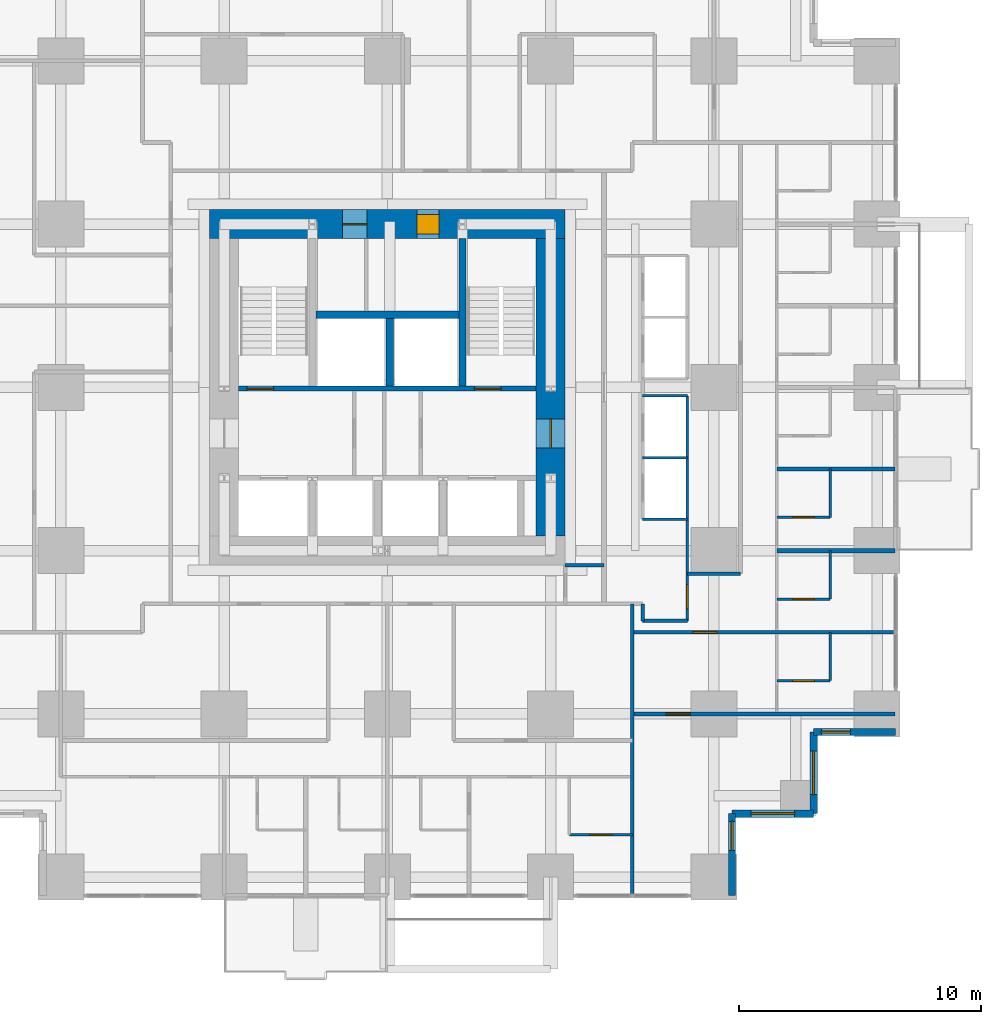
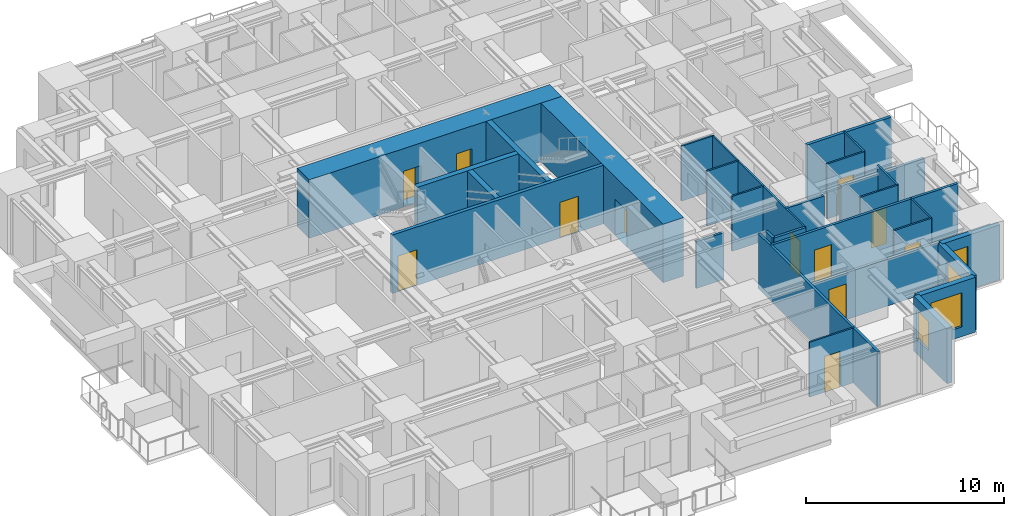
# One storey, part 10 of 15: 30 walls, 12 doors, 4 windows, 16 openings.
"""IFC4 building model written with IfcOpenShell, lengths in metres."""

from ifc_helpers import new_model, si_unit, direction, frame, frame_2d, origin, place, context, subcontext, project, spatial, rectangle, extrude, material, layer, layer_set, type_object, element, fill, save


model = new_model("IFC4")

# Units and contexts
model_context = context("Model", 3, precision=1e-05, world=origin(), true_north=direction((0.0, 1.0)))
body_context = subcontext(model_context, "Body", "Model", "MODEL_VIEW")
ifc_project = project(units=[si_unit("LENGTHUNIT", "METRE"), si_unit("AREAUNIT", "SQUARE_METRE"), si_unit("VOLUMEUNIT", "CUBIC_METRE"), si_unit("PLANEANGLEUNIT", "RADIAN"), si_unit("MASSUNIT", "GRAM", prefix="KILO")], contexts=[model_context])

# Site, building, storey
site_placement = place(None, origin())
site = spatial("IfcSite", under=ifc_project, at=site_placement, CompositionType="ELEMENT")
building_placement = place(site_placement, origin())
building = spatial("IfcBuilding", under=site, at=building_placement, Name="Nyansa Garden Tower", CompositionType="ELEMENT")
storey_placement = place(building_placement, frame((0.0, 0.0, 32.39990234375)))
storey = spatial("IfcBuildingStorey", under=building, at=storey_placement, Name="L08", CompositionType="ELEMENT", Elevation=32.39990234375)

# Walls
ifc_material_1 = material(Name="Dense blockwork, plastered both sides, 55 dB", Category="masonry")
ifc_layer_1 = layer(ifc_material_1, 0.175048828125)
ifc_layer_set_1 = layer_set([ifc_layer_1], Name="Acoustic party wall PW175")
wall_type_1 = type_object("IfcWallType", Name="Acoustic party wall PW175", PredefinedType="PARTITIONING", material=ifc_layer_set_1)
wall_1_placement = place(storey_placement, frame((36.35009765625, 13.5, 0.0), z_axis=(0.0, 0.0, 1.0), x_axis=(1.0, 0.0, 0.0)))
element("IfcWall", 1, at=wall_1_placement, inside=storey, type_object=wall_type_1, Name="Party wall", PredefinedType="PARTITIONING", context=body_context, shape_type="SweptSolid", body=[
    extrude(rectangle(XDim=4.8837890625, YDim=0.175048828125, at=frame_2d((2.44189453125, 0.0))), origin(), (0.0, 0.0, 1.0), 2.877197265625),
])
wall_2_placement = place(storey_placement, frame((36.35009765625, 16.875, 0.0), z_axis=(0.0, 0.0, 1.0), x_axis=(1.0, 0.0, 0.0)))
element("IfcWall", 2, at=wall_2_placement, inside=storey, type_object=wall_type_1, Name="Party wall", PredefinedType="PARTITIONING", context=body_context, shape_type="SweptSolid", body=[
    extrude(rectangle(XDim=4.8837890625, YDim=0.175048828125, at=frame_2d((2.44189453125, 0.0))), origin(), (0.0, 0.0, 1.0), 3.375),
])

# Wall, openings, doors
ifc_material_2 = material(Name="Concrete C70/85", Category="concrete")
ifc_layer_2 = layer(ifc_material_2, 0.199951171875)
ifc_layer_set_2 = layer_set([ifc_layer_2], Name="Core inner wall CI200")
wall_type_2 = type_object("IfcWallType", Name="Core inner wall CI200", PredefinedType="SHEAR", material=ifc_layer_set_2)
wall_3_placement = place(storey_placement, frame((14.10009765625, 20.199951171875, 0.0), z_axis=(0.0, 0.0, 1.0), x_axis=(1.0, 0.0, 0.0)))
wall_3 = element("IfcWall", 3, at=wall_3_placement, inside=storey, type_object=wall_type_2, Name="Core inner wall L08", PredefinedType="SHEAR", context=body_context, shape_type="SweptSolid", body=[
    extrude(rectangle(XDim=12.2998046875, YDim=0.199951171875, at=frame_2d((6.14990234375, 0.0))), origin(), (0.0, 0.0, 1.0), 3.60009765625),
])
opening_1_placement = place(wall_3_placement, frame((0.35009765625, 0.0, 0.0)))
opening_1 = element("IfcOpeningElement", 4, at=opening_1_placement, cuts=wall_3, Name="Opening D05", PredefinedType="OPENING", context=body_context, shape_type="SweptSolid", body=[
    extrude(rectangle(XDim=1.10009765625, YDim=2.199951171875, at=frame_2d((0.550048828125, 1.10009765625))), frame((0.0, 0.10986328125, 0.0), z_axis=(0.0, -1.0, 0.0), x_axis=(1.0, 0.0, 0.0)), (0.0, 0.0, 1.0), 0.219970703125),
])
opening_2_placement = place(wall_3_placement, frame((9.75, 0.0, 0.0)))
opening_2 = element("IfcOpeningElement", 5, at=opening_2_placement, cuts=wall_3, Name="Opening D05", PredefinedType="OPENING", context=body_context, shape_type="SweptSolid", body=[
    extrude(rectangle(XDim=1.10009765625, YDim=2.199951171875, at=frame_2d((0.550048828125, 1.10009765625))), frame((0.0, 0.10986328125, 0.0), z_axis=(0.0, -1.0, 0.0), x_axis=(1.0, 0.0, 0.0)), (0.0, 0.0, 1.0), 0.219970703125),
])
ifc_material_3 = material(Name="Steel door, 120 minute fire resisting", Category="steel")
door_type_1 = type_object("IfcDoorType", Name="Stair door D05 1100x2200", OperationType="SINGLE_SWING_LEFT", PredefinedType="DOOR", material=ifc_material_3)
door_1_placement = place(opening_1_placement, origin())
door_1 = element("IfcDoor", 6, at=door_1_placement, inside=storey, type_object=door_type_1, Name="Stair S1 door", OperationType="SINGLE_SWING_LEFT", OverallHeight=2.199951171875, OverallWidth=1.10009765625, PredefinedType="DOOR", context=body_context, shape_type="SweptSolid", body=[
    extrude(rectangle(XDim=1.10009765625, YDim=2.199951171875, at=frame_2d((0.550048828125, 1.10009765625))), frame((0.0, 0.02490234375, 0.0), z_axis=(0.0, -1.0, 0.0), x_axis=(1.0, 0.0, 0.0)), (0.0, 0.0, 1.0), 0.050048828125),
])
fill(opening_1, door_1)
door_2_placement = place(opening_2_placement, origin())
door_2 = element("IfcDoor", 7, at=door_2_placement, inside=storey, type_object=door_type_1, Name="Stair S2 door", OperationType="SINGLE_SWING_LEFT", OverallHeight=2.199951171875, OverallWidth=1.10009765625, PredefinedType="DOOR", context=body_context, shape_type="SweptSolid", body=[
    extrude(rectangle(XDim=1.10009765625, YDim=2.199951171875, at=frame_2d((0.550048828125, 1.10009765625))), frame((0.0, 0.02490234375, 0.0), z_axis=(0.0, -1.0, 0.0), x_axis=(1.0, 0.0, 0.0)), (0.0, 0.0, 1.0), 0.050048828125),
])
fill(opening_2, door_2)

# Walls
ifc_material_4 = material(Name="Concrete C70/85", Category="concrete")
ifc_layer_3 = layer(ifc_material_4, 0.300048828125)
ifc_layer_set_3 = layer_set([ifc_layer_3], Name="Core inner wall CI300")
wall_type_3 = type_object("IfcWallType", Name="Core inner wall CI300", PredefinedType="SHEAR", material=ifc_layer_set_3)
wall_4_placement = place(storey_placement, frame((23.35009765625, 20.300048828125, 0.0), z_axis=(0.0, 0.0, 1.0), x_axis=(0.0, 1.0, 0.0)))
element("IfcWall", 8, at=wall_4_placement, inside=storey, type_object=wall_type_3, Name="Core inner wall L08", PredefinedType="SHEAR", context=body_context, shape_type="SweptSolid", body=[
    extrude(rectangle(XDim=6.099853515625, YDim=0.300048828125, at=frame_2d((3.0498046875, 0.0))), origin(), (0.0, 0.0, 1.0), 3.60009765625),
])
wall_5_placement = place(storey_placement, frame((20.35009765625, 20.300048828125, 0.0), z_axis=(0.0, 0.0, 1.0), x_axis=(0.0, 1.0, 0.0)))
element("IfcWall", 9, at=wall_5_placement, inside=storey, type_object=wall_type_3, Name="Core inner wall L08", PredefinedType="SHEAR", context=body_context, shape_type="SweptSolid", body=[
    extrude(rectangle(XDim=2.800048828125, YDim=0.300048828125, at=frame_2d((1.39990234375, 0.0))), origin(), (0.0, 0.0, 1.0), 3.60009765625),
])
wall_6_placement = place(storey_placement, frame((17.300048828125, 23.25, 0.0), z_axis=(0.0, 0.0, 1.0), x_axis=(1.0, 0.0, 0.0)))
element("IfcWall", 10, at=wall_6_placement, inside=storey, type_object=wall_type_3, Name="Core inner wall L08", PredefinedType="SHEAR", context=body_context, shape_type="SweptSolid", body=[
    extrude(rectangle(XDim=5.89990234375, YDim=0.300048828125, at=frame_2d((2.949951171875, 0.0))), origin(), (0.0, 0.0, 1.0), 3.60009765625),
])

# Wall, opening, door
ifc_material_5 = material(Name="Concrete C80/95", Category="concrete")
ifc_layer_4 = layer(ifc_material_5, 1.199951171875)
ifc_layer_set_4 = layer_set([ifc_layer_4], Name="Core wall CW1200")
wall_type_4 = type_object("IfcWallType", Name="Core wall CW1200", PredefinedType="SHEAR", material=ifc_layer_set_4)
wall_7_placement = place(storey_placement, frame((27.0, 14.10009765625, 0.0), z_axis=(0.0, 0.0, 1.0), x_axis=(0.0, 1.0, 0.0)))
wall_7 = element("IfcWall", 11, at=wall_7_placement, inside=storey, type_object=wall_type_4, Name="Core wall E L08", PredefinedType="SHEAR", context=body_context, shape_type="SweptSolid", body=[
    extrude(rectangle(XDim=12.2998046875, YDim=1.199951171875, at=frame_2d((6.14990234375, 0.0))), origin(), (0.0, 0.0, 1.0), 3.60009765625),
])
opening_3_placement = place(wall_7_placement, frame((3.64990234375, 0.0, 0.0)))
opening_3 = element("IfcOpeningElement", 12, at=opening_3_placement, cuts=wall_7, Name="Opening D06", PredefinedType="OPENING", context=body_context, shape_type="SweptSolid", body=[
    extrude(rectangle(XDim=1.199951171875, YDim=2.199951171875, at=frame_2d((0.60009765625, 1.10009765625))), frame((0.0, 0.60986328125, 0.0), z_axis=(0.0, -1.0, 0.0), x_axis=(1.0, 0.0, 0.0)), (0.0, 0.0, 1.0), 1.219970703125),
])
ifc_material_6 = material(Name="Steel door, 120 minute fire resisting", Category="steel")
door_type_2 = type_object("IfcDoorType", Name="Lobby door D06 1200x2200", OperationType="DOUBLE_DOOR_SINGLE_SWING", PredefinedType="DOOR", material=ifc_material_6)
door_3_placement = place(opening_3_placement, origin())
door_3 = element("IfcDoor", 13, at=door_3_placement, inside=storey, type_object=door_type_2, Name="Lift lobby door east", OperationType="DOUBLE_DOOR_SINGLE_SWING", OverallHeight=2.199951171875, OverallWidth=1.199951171875, PredefinedType="DOOR", context=body_context, shape_type="SweptSolid", body=[
    extrude(rectangle(XDim=1.199951171875, YDim=2.199951171875, at=frame_2d((0.60009765625, 1.10009765625))), frame((0.0, 0.02490234375, 0.0), z_axis=(0.0, -1.0, 0.0), x_axis=(1.0, 0.0, 0.0)), (0.0, 0.0, 1.0), 0.050048828125),
])
fill(opening_3, door_3)

# Wall, openings, doors
wall_8_placement = place(storey_placement, frame((27.60009765625, 27.0, 0.0), z_axis=(0.0, 0.0, 1.0), x_axis=(-1.0, 0.0, 0.0)))
wall_8 = element("IfcWall", 14, at=wall_8_placement, inside=storey, type_object=wall_type_4, Name="Core wall N L08", PredefinedType="SHEAR", context=body_context, shape_type="SweptSolid", body=[
    extrude(rectangle(XDim=14.7001953125, YDim=1.199951171875, at=frame_2d((7.35009765625, 0.0))), origin(), (0.0, 0.0, 1.0), 3.60009765625),
])
opening_4_placement = place(wall_8_placement, frame((5.22509765625, 0.0, 0.0)))
opening_4 = element("IfcOpeningElement", 15, at=opening_4_placement, cuts=wall_8, Name="Opening D15", PredefinedType="OPENING", context=body_context, shape_type="SweptSolid", body=[
    extrude(rectangle(XDim=0.89990234375, YDim=2.199951171875, at=frame_2d((0.449951171875, 1.10009765625))), frame((0.0, 0.60986328125, 0.0), z_axis=(0.0, -1.0, 0.0), x_axis=(1.0, 0.0, 0.0)), (0.0, 0.0, 1.0), 1.219970703125),
])
opening_5_placement = place(wall_8_placement, frame((8.199951171875, 0.0, 0.0)))
opening_5 = element("IfcOpeningElement", 16, at=opening_5_placement, cuts=wall_8, Name="Opening D07", PredefinedType="OPENING", context=body_context, shape_type="SweptSolid", body=[
    extrude(rectangle(XDim=1.0, YDim=2.199951171875, at=frame_2d((0.5, 1.10009765625))), frame((0.0, 0.60986328125, 0.0), z_axis=(0.0, -1.0, 0.0), x_axis=(1.0, 0.0, 0.0)), (0.0, 0.0, 1.0), 1.219970703125),
])
ifc_material_7 = material(Name="Timber flush door, 60 minute fire resisting, self-closing", Category="wood")
door_type_3 = type_object("IfcDoorType", Name="Core room door D15 900x2200", OperationType="SINGLE_SWING_LEFT", PredefinedType="DOOR", material=ifc_material_7)
door_4_placement = place(opening_4_placement, origin())
door_4 = element("IfcDoor", 17, at=door_4_placement, inside=storey, type_object=door_type_3, Name="Core room door", OperationType="SINGLE_SWING_LEFT", OverallHeight=2.199951171875, OverallWidth=0.89990234375, PredefinedType="DOOR", context=body_context, shape_type="SweptSolid", body=[
    extrude(rectangle(XDim=0.89990234375, YDim=2.199951171875, at=frame_2d((0.449951171875, 1.10009765625))), frame((0.0, 0.39990234375, 0.0), z_axis=(0.0, -1.0, 0.0), x_axis=(1.0, 0.0, 0.0)), (0.0, 0.0, 1.0), 0.800048828125),
])
fill(opening_4, door_4)
ifc_material_8 = material(Name="Steel door, 120 minute fire resisting", Category="steel")
door_type_4 = type_object("IfcDoorType", Name="Riser door D07 1000x2200", OperationType="SINGLE_SWING_LEFT", PredefinedType="DOOR", material=ifc_material_8)
door_5_placement = place(opening_5_placement, origin())
door_5 = element("IfcDoor", 18, at=door_5_placement, inside=storey, type_object=door_type_4, Name="Riser and refuse room door", OperationType="SINGLE_SWING_LEFT", OverallHeight=2.199951171875, OverallWidth=1.0, PredefinedType="DOOR", context=body_context, shape_type="SweptSolid", body=[
    extrude(rectangle(XDim=1.0, YDim=2.199951171875, at=frame_2d((0.5, 1.10009765625))), frame((0.0, 0.02490234375, 0.0), z_axis=(0.0, -1.0, 0.0), x_axis=(1.0, 0.0, 0.0)), (0.0, 0.0, 1.0), 0.050048828125),
])
fill(opening_5, door_5)

# Walls
ifc_material_9 = material(Name="Steel-stud shaft wall, two layers fire-rated board, EI 120", Category="steel")
ifc_layer_5 = layer(ifc_material_9, 0.10009765625)
ifc_layer_set_5 = layer_set([ifc_layer_5], Name="Lift shaft wall SW100")
wall_type_5 = type_object("IfcWallType", Name="Lift shaft wall SW100", PredefinedType="SHEAR", material=ifc_layer_set_5)
for number, where, z_axis, x_axis, name in (
    (19, (30.800048828125, 14.800048828125, 0.0), (0.0, 0.0, 1.0), (1.0, 0.0, 0.0), "Lift shaft wall"),
    (20, (30.800048828125, 17.35009765625, 0.0), (0.0, 0.0, 1.0), (1.0, 0.0, 0.0), "Lift shaft wall"),
    (21, (30.800048828125, 19.89990234375, 0.0), (0.0, 0.0, 1.0), (1.0, 0.0, 0.0), "Lift shaft wall"),
):
    element("IfcWall", number, at=place(storey_placement, frame(where, z_axis=z_axis, x_axis=x_axis)), inside=storey, type_object=wall_type_5, Name=name, PredefinedType="SHEAR", context=body_context, shape_type="SweptSolid", body=[
        extrude(rectangle(XDim=1.849853515625, YDim=0.10009765625, at=frame_2d((0.9248046875, 0.0))), origin(), (0.0, 0.0, 1.0), 3.375),
    ])

# Wall, opening, door
wall_9_placement = place(storey_placement, frame((32.64990234375, 10.60009765625, 0.0), z_axis=(0.0, 0.0, 1.0), x_axis=(0.0, 1.0, 0.0)))
wall_9 = element("IfcWall", 22, at=wall_9_placement, inside=storey, type_object=wall_type_5, Name="Lift shaft wall", PredefinedType="SHEAR", context=body_context, shape_type="SweptSolid", body=[
    extrude(rectangle(XDim=9.2998046875, YDim=0.10009765625, at=frame_2d((4.64990234375, 0.0))), origin(), (0.0, 0.0, 1.0), 3.375),
])
opening_6_placement = place(wall_9_placement, frame((0.5, 0.0, 0.0)))
opening_6 = element("IfcOpeningElement", 23, at=opening_6_placement, cuts=wall_9, Name="Opening D03", PredefinedType="OPENING", context=body_context, shape_type="SweptSolid", body=[
    extrude(rectangle(XDim=1.0, YDim=2.199951171875, at=frame_2d((0.5, 1.10009765625))), frame((0.0, 0.06005859375, 0.0), z_axis=(0.0, -1.0, 0.0), x_axis=(1.0, 0.0, 0.0)), (0.0, 0.0, 1.0), 0.1201171875),
])
ifc_material_10 = material(Name="Timber flush door, 60 minute fire resisting", Category="wood")
door_type_5 = type_object("IfcDoorType", Name="Cluster entrance door D03 1000x2200", OperationType="SINGLE_SWING_LEFT", PredefinedType="DOOR", material=ifc_material_10)
door_6_placement = place(opening_6_placement, origin())
door_6 = element("IfcDoor", 24, at=door_6_placement, inside=storey, type_object=door_type_5, Name="Door L08-047", OperationType="SINGLE_SWING_LEFT", OverallHeight=2.199951171875, OverallWidth=1.0, PredefinedType="DOOR", context=body_context, shape_type="SweptSolid", body=[
    extrude(rectangle(XDim=1.0, YDim=2.199951171875, at=frame_2d((0.5, 1.10009765625))), frame((0.0, 0.02490234375, 0.0), z_axis=(0.0, -1.0, 0.0), x_axis=(1.0, 0.0, 0.0)), (0.0, 0.0, 1.0), 0.050048828125),
])
fill(opening_6, door_6)

# Walls
ifc_material_11 = material(Name="Blockwork, plastered both sides", Category="masonry")
ifc_layer_6 = layer(ifc_material_11, 0.14990234375)
ifc_layer_set_6 = layer_set([ifc_layer_6], Name="Partition PW150")
wall_type_6 = type_object("IfcWallType", Name="Partition PW150", PredefinedType="PARTITIONING", material=ifc_layer_set_6)
wall_10_placement = place(storey_placement, frame((27.60009765625, 12.89990234375, 0.0), z_axis=(0.0, 0.0, 1.0), x_axis=(1.0, 0.0, 0.0)))
element("IfcWall", 25, at=wall_10_placement, inside=storey, type_object=wall_type_6, Name="Partition", PredefinedType="PARTITIONING", context=body_context, shape_type="SweptSolid", body=[
    extrude(rectangle(XDim=1.599853515625, YDim=0.14990234375, at=frame_2d((0.7998046875, 0.0))), origin(), (0.0, 0.0, 1.0), 2.877197265625),
])
wall_11_placement = place(storey_placement, frame((30.375, -0.73388671875, 0.0), z_axis=(0.0, 0.0, 1.0), x_axis=(0.0, 1.0, 0.0)))
element("IfcWall", 26, at=wall_11_placement, inside=storey, type_object=wall_type_6, Name="Partition", PredefinedType="PARTITIONING", context=body_context, shape_type="SweptSolid", body=[
    extrude(rectangle(XDim=12.033935546875, YDim=0.14990234375, at=frame_2d((6.01708984375, 0.0))), origin(), (0.0, 0.0, 1.0), 3.375),
])

# Wall, opening, door
wall_12_placement = place(storey_placement, frame((30.375, 6.75, 0.0), z_axis=(0.0, 0.0, 1.0), x_axis=(1.0, 0.0, 0.0)))
wall_12 = element("IfcWall", 27, at=wall_12_placement, inside=storey, type_object=wall_type_6, Name="Partition", PredefinedType="PARTITIONING", context=body_context, shape_type="SweptSolid", body=[
    extrude(rectangle(XDim=10.85888671875, YDim=0.14990234375, at=frame_2d((5.429443359375, 0.0))), origin(), (0.0, 0.0, 1.0), 2.877197265625),
])
opening_7_placement = place(wall_12_placement, frame((1.39990234375, 0.0, 0.0)))
opening_7 = element("IfcOpeningElement", 28, at=opening_7_placement, cuts=wall_12, Name="Opening D03", PredefinedType="OPENING", context=body_context, shape_type="SweptSolid", body=[
    extrude(rectangle(XDim=1.0, YDim=2.199951171875, at=frame_2d((0.5, 1.10009765625))), frame((0.0, 0.0849609375, 0.0), z_axis=(0.0, -1.0, 0.0), x_axis=(1.0, 0.0, 0.0)), (0.0, 0.0, 1.0), 0.169921875),
])
door_7_placement = place(opening_7_placement, origin())
door_7 = element("IfcDoor", 29, at=door_7_placement, inside=storey, type_object=door_type_5, Name="Door L08-031", OperationType="SINGLE_SWING_LEFT", OverallHeight=2.199951171875, OverallWidth=1.0, PredefinedType="DOOR", context=body_context, shape_type="SweptSolid", body=[
    extrude(rectangle(XDim=1.0, YDim=2.199951171875, at=frame_2d((0.5, 1.10009765625))), frame((0.0, 0.02490234375, 0.0), z_axis=(0.0, -1.0, 0.0), x_axis=(1.0, 0.0, 0.0)), (0.0, 0.0, 1.0), 0.050048828125),
])
fill(opening_7, door_7)

wall_13_placement = place(storey_placement, frame((30.375, 10.125, 0.0), z_axis=(0.0, 0.0, 1.0), x_axis=(1.0, 0.0, 0.0)))
wall_13 = element("IfcWall", 30, at=wall_13_placement, inside=storey, type_object=wall_type_6, Name="Partition", PredefinedType="PARTITIONING", context=body_context, shape_type="SweptSolid", body=[
    extrude(rectangle(XDim=10.85888671875, YDim=0.14990234375, at=frame_2d((5.429443359375, 0.0))), origin(), (0.0, 0.0, 1.0), 3.375),
])
opening_8_placement = place(wall_13_placement, frame((2.5, 0.0, 0.0)))
opening_8 = element("IfcOpeningElement", 31, at=opening_8_placement, cuts=wall_13, Name="Opening D03", PredefinedType="OPENING", context=body_context, shape_type="SweptSolid", body=[
    extrude(rectangle(XDim=1.0, YDim=2.199951171875, at=frame_2d((0.5, 1.10009765625))), frame((0.0, 0.0849609375, 0.0), z_axis=(0.0, -1.0, 0.0), x_axis=(1.0, 0.0, 0.0)), (0.0, 0.0, 1.0), 0.169921875),
])
door_8_placement = place(opening_8_placement, origin())
door_8 = element("IfcDoor", 32, at=door_8_placement, inside=storey, type_object=door_type_5, Name="Door L08-034", OperationType="SINGLE_SWING_LEFT", OverallHeight=2.199951171875, OverallWidth=1.0, PredefinedType="DOOR", context=body_context, shape_type="SweptSolid", body=[
    extrude(rectangle(XDim=1.0, YDim=2.199951171875, at=frame_2d((0.5, 1.10009765625))), frame((0.0, 0.02490234375, 0.0), z_axis=(0.0, -1.0, 0.0), x_axis=(1.0, 0.0, 0.0)), (0.0, 0.0, 1.0), 0.050048828125),
])
fill(opening_8, door_8)

# Walls
wall_14_placement = place(storey_placement, frame((30.800048828125, 10.60009765625, 0.0), z_axis=(0.0, 0.0, 1.0), x_axis=(0.0, 1.0, 0.0)))
element("IfcWall", 33, at=wall_14_placement, inside=storey, type_object=wall_type_6, Name="Partition", PredefinedType="PARTITIONING", context=body_context, shape_type="SweptSolid", body=[
    extrude(rectangle(XDim=0.699951171875, YDim=0.14990234375, at=frame_2d((0.35009765625, 0.0))), origin(), (0.0, 0.0, 1.0), 3.375),
])
wall_15_placement = place(storey_placement, frame((30.800048828125, 10.60009765625, 0.0), z_axis=(0.0, 0.0, 1.0), x_axis=(1.0, 0.0, 0.0)))
element("IfcWall", 34, at=wall_15_placement, inside=storey, type_object=wall_type_6, Name="Partition", PredefinedType="PARTITIONING", context=body_context, shape_type="SweptSolid", body=[
    extrude(rectangle(XDim=1.849853515625, YDim=0.14990234375, at=frame_2d((0.9248046875, 0.0))), origin(), (0.0, 0.0, 1.0), 3.375),
])
wall_16_placement = place(storey_placement, frame((32.64990234375, 12.550048828125, 0.0), z_axis=(0.0, 0.0, 1.0), x_axis=(1.0, 0.0, 0.0)))
element("IfcWall", 35, at=wall_16_placement, inside=storey, type_object=wall_type_6, Name="Partition", PredefinedType="PARTITIONING", context=body_context, shape_type="SweptSolid", body=[
    extrude(rectangle(XDim=2.2001953125, YDim=0.14990234375, at=frame_2d((1.10009765625, 0.0))), origin(), (0.0, 0.0, 1.0), 3.375),
])

# Wall, opening, window
ifc_material_12 = material(Name="Turquoise glazed tile on concrete blockwork", Category="masonry")
ifc_layer_7 = layer(ifc_material_12, 0.300048828125)
ifc_layer_set_7 = layer_set([ifc_layer_7], Name="Tiled corner wall TW300")
wall_type_7 = type_object("IfcWallType", Name="Tiled corner wall TW300", PredefinedType="SOLIDWALL", material=ifc_layer_set_7)
wall_17_placement = place(storey_placement, frame((34.5, -0.75, 0.0), z_axis=(0.0, 0.0, 1.0), x_axis=(0.0, 1.0, 0.0)))
wall_17 = element("IfcWall", 36, at=wall_17_placement, inside=storey, type_object=wall_type_7, Name="Tiled corner wall L08", PredefinedType="SOLIDWALL", context=body_context, shape_type="SweptSolid", body=[
    extrude(rectangle(XDim=3.375, YDim=0.300048828125, at=frame_2d((1.6875, 0.0))), origin(), (0.0, 0.0, 1.0), 3.375),
])
opening_9_placement = place(wall_17_placement, frame((1.857421875, 0.0, 0.89990234375)))
opening_9 = element("IfcOpeningElement", 37, at=opening_9_placement, cuts=wall_17, Name="Opening W4", PredefinedType="OPENING", context=body_context, shape_type="SweptSolid", body=[
    extrude(rectangle(XDim=1.199951171875, YDim=1.800048828125, at=frame_2d((0.60009765625, 0.89990234375))), frame((0.0, 0.159912109375, 0.0), z_axis=(0.0, -1.0, 0.0), x_axis=(1.0, 0.0, 0.0)), (0.0, 0.0, 1.0), 0.320068359375),
])
ifc_material_13 = material(Name="Black aluminium frame, dark tinted double glazing", Category="aluminium")
window_type_1 = type_object("IfcWindowType", Name="Window W4 1200x1800", PartitioningType="SINGLE_PANEL", PredefinedType="WINDOW", material=ifc_material_13)
window_1_placement = place(opening_9_placement, origin())
window_1 = element("IfcWindow", 38, at=window_1_placement, inside=storey, type_object=window_type_1, Name="Corner window L08", OverallHeight=1.800048828125, OverallWidth=1.199951171875, PartitioningType="SINGLE_PANEL", PredefinedType="WINDOW", context=body_context, shape_type="SweptSolid", body=[
    extrude(rectangle(XDim=1.199951171875, YDim=1.800048828125, at=frame_2d((0.60009765625, 0.89990234375))), frame((0.0, 0.030029296875, 0.0), z_axis=(0.0, -1.0, 0.0), x_axis=(1.0, 0.0, 0.0)), (0.0, 0.0, 1.0), 0.06005859375),
])
fill(opening_9, window_1)

wall_18_placement = place(storey_placement, frame((34.5, 2.625, 0.0), z_axis=(0.0, 0.0, 1.0), x_axis=(1.0, 0.0, 0.0)))
wall_18 = element("IfcWall", 39, at=wall_18_placement, inside=storey, type_object=wall_type_7, Name="Tiled corner wall L08", PredefinedType="SOLIDWALL", context=body_context, shape_type="SweptSolid", body=[
    extrude(rectangle(XDim=3.375, YDim=0.300048828125, at=frame_2d((1.6875, 0.0))), origin(), (0.0, 0.0, 1.0), 3.375),
])
opening_10_placement = place(wall_18_placement, frame((0.78759765625, 0.0, 0.60009765625)))
opening_10 = element("IfcOpeningElement", 40, at=opening_10_placement, cuts=wall_18, Name="Opening W2", PredefinedType="OPENING", context=body_context, shape_type="SweptSolid", body=[
    extrude(rectangle(XDim=1.800048828125, YDim=2.10009765625, at=frame_2d((0.89990234375, 1.050048828125))), frame((0.0, 0.159912109375, 0.0), z_axis=(0.0, -1.0, 0.0), x_axis=(1.0, 0.0, 0.0)), (0.0, 0.0, 1.0), 0.320068359375),
])
ifc_material_14 = material(Name="Black aluminium frame, dark tinted double glazing", Category="aluminium")
window_type_2 = type_object("IfcWindowType", Name="Window W2 1800x2100", PartitioningType="SINGLE_PANEL", PredefinedType="WINDOW", material=ifc_material_14)
window_2_placement = place(opening_10_placement, origin())
window_2 = element("IfcWindow", 41, at=window_2_placement, inside=storey, type_object=window_type_2, Name="Corner window L08", OverallHeight=2.10009765625, OverallWidth=1.800048828125, PartitioningType="SINGLE_PANEL", PredefinedType="WINDOW", context=body_context, shape_type="SweptSolid", body=[
    extrude(rectangle(XDim=1.800048828125, YDim=2.10009765625, at=frame_2d((0.89990234375, 1.050048828125))), frame((0.0, 0.030029296875, 0.0), z_axis=(0.0, -1.0, 0.0), x_axis=(1.0, 0.0, 0.0)), (0.0, 0.0, 1.0), 0.06005859375),
])
fill(opening_10, window_2)

wall_19_placement = place(storey_placement, frame((37.875, 2.625, 0.0), z_axis=(0.0, 0.0, 1.0), x_axis=(0.0, 1.0, 0.0)))
wall_19 = element("IfcWall", 42, at=wall_19_placement, inside=storey, type_object=wall_type_7, Name="Tiled corner wall L08", PredefinedType="SOLIDWALL", context=body_context, shape_type="SweptSolid", body=[
    extrude(rectangle(XDim=3.375, YDim=0.300048828125, at=frame_2d((1.6875, 0.0))), origin(), (0.0, 0.0, 1.0), 3.375),
])
opening_11_placement = place(wall_19_placement, frame((0.78759765625, 0.0, 0.60009765625)))
opening_11 = element("IfcOpeningElement", 43, at=opening_11_placement, cuts=wall_19, Name="Opening W2", PredefinedType="OPENING", context=body_context, shape_type="SweptSolid", body=[
    extrude(rectangle(XDim=1.800048828125, YDim=2.10009765625, at=frame_2d((0.89990234375, 1.050048828125))), frame((0.0, 0.159912109375, 0.0), z_axis=(0.0, -1.0, 0.0), x_axis=(1.0, 0.0, 0.0)), (0.0, 0.0, 1.0), 0.320068359375),
])
window_3_placement = place(opening_11_placement, origin())
window_3 = element("IfcWindow", 44, at=window_3_placement, inside=storey, type_object=window_type_2, Name="Corner window L08", OverallHeight=2.10009765625, OverallWidth=1.800048828125, PartitioningType="SINGLE_PANEL", PredefinedType="WINDOW", context=body_context, shape_type="SweptSolid", body=[
    extrude(rectangle(XDim=1.800048828125, YDim=2.10009765625, at=frame_2d((0.89990234375, 1.050048828125))), frame((0.0, 0.030029296875, 0.0), z_axis=(0.0, -1.0, 0.0), x_axis=(1.0, 0.0, 0.0)), (0.0, 0.0, 1.0), 0.06005859375),
])
fill(opening_11, window_3)

wall_20_placement = place(storey_placement, frame((37.875, 6.0, 0.0), z_axis=(0.0, 0.0, 1.0), x_axis=(1.0, 0.0, 0.0)))
wall_20 = element("IfcWall", 45, at=wall_20_placement, inside=storey, type_object=wall_type_7, Name="Tiled corner wall L08", PredefinedType="SOLIDWALL", context=body_context, shape_type="SweptSolid", body=[
    extrude(rectangle(XDim=3.375, YDim=0.300048828125, at=frame_2d((1.6875, 0.0))), origin(), (0.0, 0.0, 1.0), 3.375),
])
opening_12_placement = place(wall_20_placement, frame((0.3173828125, 0.0, 0.89990234375)))
opening_12 = element("IfcOpeningElement", 46, at=opening_12_placement, cuts=wall_20, Name="Opening W4", PredefinedType="OPENING", context=body_context, shape_type="SweptSolid", body=[
    extrude(rectangle(XDim=1.199951171875, YDim=1.800048828125, at=frame_2d((0.60009765625, 0.89990234375))), frame((0.0, 0.159912109375, 0.0), z_axis=(0.0, -1.0, 0.0), x_axis=(1.0, 0.0, 0.0)), (0.0, 0.0, 1.0), 0.320068359375),
])
window_4_placement = place(opening_12_placement, origin())
window_4 = element("IfcWindow", 47, at=window_4_placement, inside=storey, type_object=window_type_1, Name="Corner window L08", OverallHeight=1.800048828125, OverallWidth=1.199951171875, PartitioningType="SINGLE_PANEL", PredefinedType="WINDOW", context=body_context, shape_type="SweptSolid", body=[
    extrude(rectangle(XDim=1.199951171875, YDim=1.800048828125, at=frame_2d((0.60009765625, 0.89990234375))), frame((0.0, 0.030029296875, 0.0), z_axis=(0.0, -1.0, 0.0), x_axis=(1.0, 0.0, 0.0)), (0.0, 0.0, 1.0), 0.06005859375),
])
fill(opening_12, window_4)

# Wall, opening, door
ifc_material_15 = material(Name="Moisture resistant board on steel studs, tiled", Category="steel")
ifc_layer_8 = layer(ifc_material_15, 0.10009765625)
ifc_layer_set_8 = layer_set([ifc_layer_8], Name="Wet wall PW100")
wall_type_8 = type_object("IfcWallType", Name="Wet wall PW100", PredefinedType="PARTITIONING", material=ifc_layer_set_8)
wall_21_placement = place(storey_placement, frame((27.77490234375, 1.75, 0.0), z_axis=(0.0, 0.0, 1.0), x_axis=(1.0, 0.0, 0.0)))
wall_21 = element("IfcWall", 48, at=wall_21_placement, inside=storey, type_object=wall_type_8, Name="Wet wall", PredefinedType="PARTITIONING", context=body_context, shape_type="SweptSolid", body=[
    extrude(rectangle(XDim=2.60009765625, YDim=0.10009765625, at=frame_2d((1.300048828125, 0.0))), origin(), (0.0, 0.0, 1.0), 3.375),
])
opening_13_placement = place(wall_21_placement, frame((0.85009765625, 0.0, 0.0)))
opening_13 = element("IfcOpeningElement", 49, at=opening_13_placement, cuts=wall_21, Name="Opening D02", PredefinedType="OPENING", context=body_context, shape_type="SweptSolid", body=[
    extrude(rectangle(XDim=0.89990234375, YDim=2.199951171875, at=frame_2d((0.449951171875, 1.10009765625))), frame((0.0, 0.06005859375, 0.0), z_axis=(0.0, -1.0, 0.0), x_axis=(1.0, 0.0, 0.0)), (0.0, 0.0, 1.0), 0.1201171875),
])
ifc_material_16 = material(Name="Timber flush door", Category="wood")
door_type_6 = type_object("IfcDoorType", Name="En-suite door D02 900x2200", OperationType="SINGLE_SWING_RIGHT", PredefinedType="DOOR", material=ifc_material_16)
door_9_placement = place(opening_13_placement, origin())
door_9 = element("IfcDoor", 50, at=door_9_placement, inside=storey, type_object=door_type_6, Name="Door L08-025", OperationType="SINGLE_SWING_RIGHT", OverallHeight=2.199951171875, OverallWidth=0.89990234375, PredefinedType="DOOR", context=body_context, shape_type="SweptSolid", body=[
    extrude(rectangle(XDim=0.89990234375, YDim=2.199951171875, at=frame_2d((0.449951171875, 1.10009765625))), frame((0.0, 0.02490234375, 0.0), z_axis=(0.0, -1.0, 0.0), x_axis=(1.0, 0.0, 0.0)), (0.0, 0.0, 1.0), 0.050048828125),
])
fill(opening_13, door_9)

wall_22_placement = place(storey_placement, frame((36.35009765625, 8.125, 0.0), z_axis=(0.0, 0.0, 1.0), x_axis=(1.0, 0.0, 0.0)))
wall_22 = element("IfcWall", 51, at=wall_22_placement, inside=storey, type_object=wall_type_8, Name="Wet wall", PredefinedType="PARTITIONING", context=body_context, shape_type="SweptSolid", body=[
    extrude(rectangle(XDim=2.199951171875, YDim=0.10009765625, at=frame_2d((1.10009765625, 0.0))), origin(), (0.0, 0.0, 1.0), 3.375),
])
opening_14_placement = place(wall_22_placement, frame((0.64990234375, 0.0, 0.0)))
opening_14 = element("IfcOpeningElement", 52, at=opening_14_placement, cuts=wall_22, Name="Opening D02", PredefinedType="OPENING", context=body_context, shape_type="SweptSolid", body=[
    extrude(rectangle(XDim=0.89990234375, YDim=2.199951171875, at=frame_2d((0.449951171875, 1.10009765625))), frame((0.0, 0.06005859375, 0.0), z_axis=(0.0, -1.0, 0.0), x_axis=(1.0, 0.0, 0.0)), (0.0, 0.0, 1.0), 0.1201171875),
])
door_10_placement = place(opening_14_placement, origin())
door_10 = element("IfcDoor", 53, at=door_10_placement, inside=storey, type_object=door_type_6, Name="Door L08-033", OperationType="SINGLE_SWING_RIGHT", OverallHeight=2.199951171875, OverallWidth=0.89990234375, PredefinedType="DOOR", context=body_context, shape_type="SweptSolid", body=[
    extrude(rectangle(XDim=0.89990234375, YDim=2.199951171875, at=frame_2d((0.449951171875, 1.10009765625))), frame((0.0, 0.02490234375, 0.0), z_axis=(0.0, -1.0, 0.0), x_axis=(1.0, 0.0, 0.0)), (0.0, 0.0, 1.0), 0.050048828125),
])
fill(opening_14, door_10)

wall_23_placement = place(storey_placement, frame((36.35009765625, 11.5, 0.0), z_axis=(0.0, 0.0, 1.0), x_axis=(1.0, 0.0, 0.0)))
wall_23 = element("IfcWall", 54, at=wall_23_placement, inside=storey, type_object=wall_type_8, Name="Wet wall", PredefinedType="PARTITIONING", context=body_context, shape_type="SweptSolid", body=[
    extrude(rectangle(XDim=2.199951171875, YDim=0.10009765625, at=frame_2d((1.10009765625, 0.0))), origin(), (0.0, 0.0, 1.0), 3.375),
])
opening_15_placement = place(wall_23_placement, frame((0.64990234375, 0.0, 0.0)))
opening_15 = element("IfcOpeningElement", 55, at=opening_15_placement, cuts=wall_23, Name="Opening D02", PredefinedType="OPENING", context=body_context, shape_type="SweptSolid", body=[
    extrude(rectangle(XDim=0.89990234375, YDim=2.199951171875, at=frame_2d((0.449951171875, 1.10009765625))), frame((0.0, 0.06005859375, 0.0), z_axis=(0.0, -1.0, 0.0), x_axis=(1.0, 0.0, 0.0)), (0.0, 0.0, 1.0), 0.1201171875),
])
door_11_placement = place(opening_15_placement, origin())
door_11 = element("IfcDoor", 56, at=door_11_placement, inside=storey, type_object=door_type_6, Name="Door L08-036", OperationType="SINGLE_SWING_RIGHT", OverallHeight=2.199951171875, OverallWidth=0.89990234375, PredefinedType="DOOR", context=body_context, shape_type="SweptSolid", body=[
    extrude(rectangle(XDim=0.89990234375, YDim=2.199951171875, at=frame_2d((0.449951171875, 1.10009765625))), frame((0.0, 0.02490234375, 0.0), z_axis=(0.0, -1.0, 0.0), x_axis=(1.0, 0.0, 0.0)), (0.0, 0.0, 1.0), 0.050048828125),
])
fill(opening_15, door_11)

wall_24_placement = place(storey_placement, frame((36.35009765625, 14.875, 0.0), z_axis=(0.0, 0.0, 1.0), x_axis=(1.0, 0.0, 0.0)))
wall_24 = element("IfcWall", 57, at=wall_24_placement, inside=storey, type_object=wall_type_8, Name="Wet wall", PredefinedType="PARTITIONING", context=body_context, shape_type="SweptSolid", body=[
    extrude(rectangle(XDim=2.199951171875, YDim=0.10009765625, at=frame_2d((1.10009765625, 0.0))), origin(), (0.0, 0.0, 1.0), 3.375),
])
opening_16_placement = place(wall_24_placement, frame((0.64990234375, 0.0, 0.0)))
opening_16 = element("IfcOpeningElement", 58, at=opening_16_placement, cuts=wall_24, Name="Opening D02", PredefinedType="OPENING", context=body_context, shape_type="SweptSolid", body=[
    extrude(rectangle(XDim=0.89990234375, YDim=2.199951171875, at=frame_2d((0.449951171875, 1.10009765625))), frame((0.0, 0.06005859375, 0.0), z_axis=(0.0, -1.0, 0.0), x_axis=(1.0, 0.0, 0.0)), (0.0, 0.0, 1.0), 0.1201171875),
])
door_12_placement = place(opening_16_placement, origin())
door_12 = element("IfcDoor", 59, at=door_12_placement, inside=storey, type_object=door_type_6, Name="Door L08-038", OperationType="SINGLE_SWING_RIGHT", OverallHeight=2.199951171875, OverallWidth=0.89990234375, PredefinedType="DOOR", context=body_context, shape_type="SweptSolid", body=[
    extrude(rectangle(XDim=0.89990234375, YDim=2.199951171875, at=frame_2d((0.449951171875, 1.10009765625))), frame((0.0, 0.02490234375, 0.0), z_axis=(0.0, -1.0, 0.0), x_axis=(1.0, 0.0, 0.0)), (0.0, 0.0, 1.0), 0.050048828125),
])
fill(opening_16, door_12)

# Walls
for number, where, z_axis, x_axis, name in (
    (60, (38.550048828125, 8.125, 0.0), (0.0, 0.0, 1.0), (0.0, 1.0, 0.0), "Wet wall"),
    (61, (38.550048828125, 11.5, 0.0), (0.0, 0.0, 1.0), (0.0, 1.0, 0.0), "Wet wall"),
    (62, (38.550048828125, 14.875, 0.0), (0.0, 0.0, 1.0), (0.0, 1.0, 0.0), "Wet wall"),
):
    element("IfcWall", number, at=place(storey_placement, frame(where, z_axis=z_axis, x_axis=x_axis)), inside=storey, type_object=wall_type_8, Name=name, PredefinedType="PARTITIONING", context=body_context, shape_type="SweptSolid", body=[
        extrude(rectangle(XDim=2.0, YDim=0.10009765625, at=frame_2d((1.0, 0.0))), origin(), (0.0, 0.0, 1.0), 3.375),
    ])

save(model, "model.ifc")
